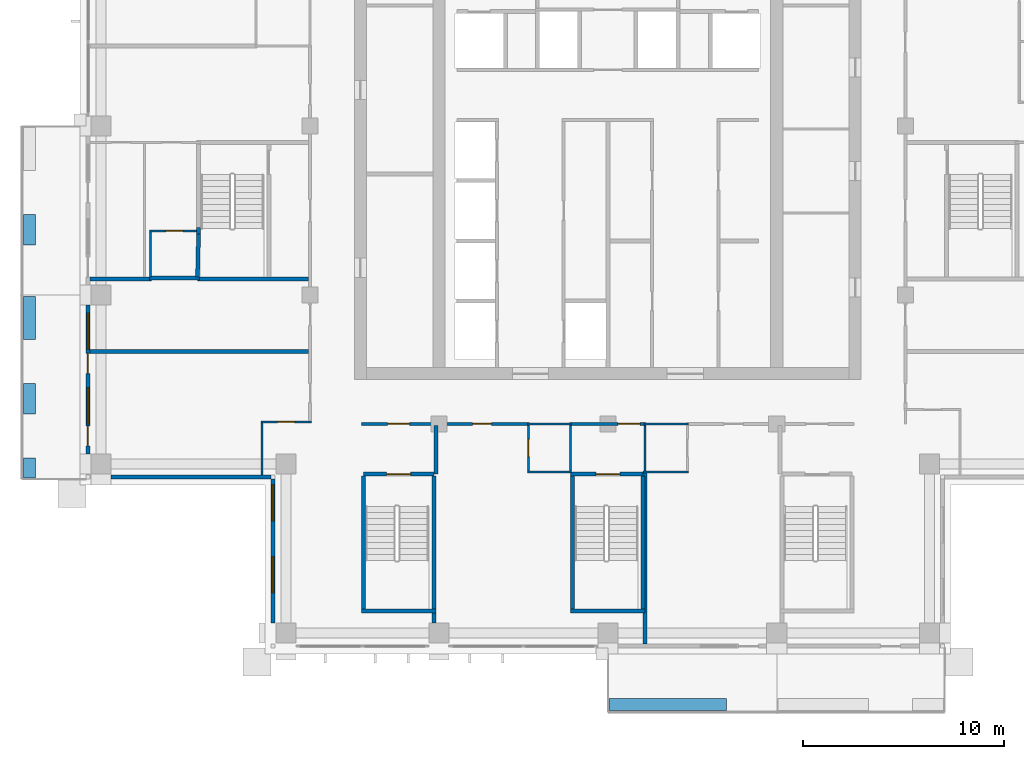
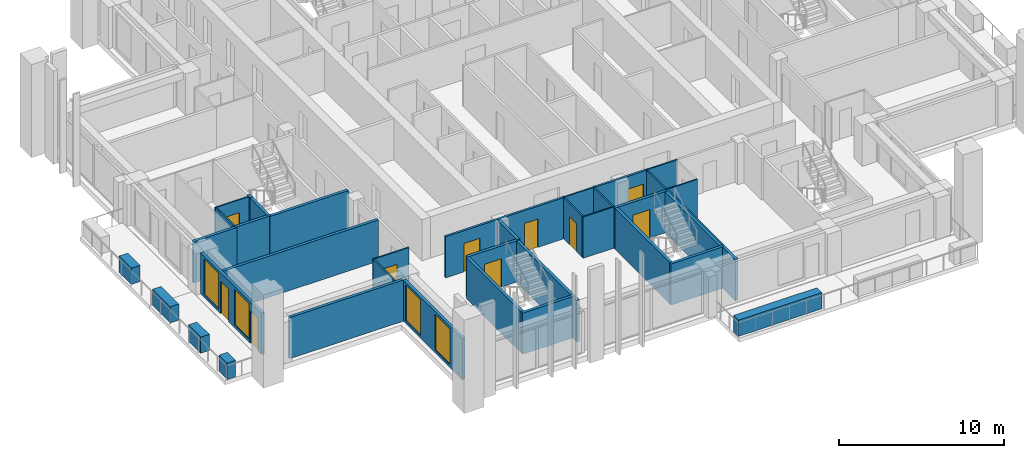
# One storey, part 8 of 18: 37 walls, 10 doors, 4 windows, 14 openings.
"""IFC4 building model written with IfcOpenShell, lengths in metres."""

from ifc_helpers import new_model, si_unit, direction, frame, frame_2d, origin, place, context, subcontext, project, spatial, rectangle, extrude, material, layer, layer_set, type_object, element, fill, save


model = new_model("IFC4")

# Units and contexts
model_context = context("Model", 3, precision=1e-05, world=origin(), true_north=direction((0.0, 1.0)))
body_context = subcontext(model_context, "Body", "Model", "MODEL_VIEW")
ifc_project = project(units=[si_unit("LENGTHUNIT", "METRE"), si_unit("AREAUNIT", "SQUARE_METRE"), si_unit("VOLUMEUNIT", "CUBIC_METRE"), si_unit("PLANEANGLEUNIT", "RADIAN"), si_unit("MASSUNIT", "GRAM", prefix="KILO")], contexts=[model_context])

# Site, building, storey
site_placement = place(None, origin())
site = spatial("IfcSite", under=ifc_project, at=site_placement, CompositionType="ELEMENT")
building_placement = place(site_placement, origin())
building = spatial("IfcBuilding", under=site, at=building_placement, Name="Vermilion Ogive Tower", CompositionType="ELEMENT")
storey_placement = place(building_placement, frame((0.0, 0.0, 199.699951171875)))
storey = spatial("IfcBuildingStorey", under=building, at=storey_placement, Name="L52", CompositionType="ELEMENT", Elevation=199.699951171875)

# Walls
ifc_material_1 = material(Name="Gypsum board partition on steel studs", Category="steel")
ifc_layer_1 = layer(ifc_material_1, 0.10009765625)
ifc_layer_set_1 = layer_set([ifc_layer_1], Name="Partition 100 bath")
wall_type_1 = type_object("IfcWallType", Name="Partition 100 bath", PredefinedType="PARTITIONING", material=ifc_layer_set_1)
wall_1_placement = place(storey_placement, frame((-4.0, -13.0, 0.0), z_axis=(0.0, 0.0, 1.0), x_axis=(1.0, 0.0, 0.0)))
element("IfcWall", 1, at=wall_1_placement, inside=storey, type_object=wall_type_1, Name="L52-W-W005", PredefinedType="PARTITIONING", context=body_context, shape_type="SweptSolid", body=[
    extrude(rectangle(XDim=2.199951171875, YDim=0.10009765625, at=frame_2d((1.10009765625, 0.0))), origin(), (0.0, 0.0, 1.0), 3.050048828125),
])
wall_2_placement = place(storey_placement, frame((1.75, -13.0, 0.0), z_axis=(0.0, 0.0, 1.0), x_axis=(1.0, 0.0, 0.0)))
element("IfcWall", 2, at=wall_2_placement, inside=storey, type_object=wall_type_1, Name="L52-W-W006", PredefinedType="PARTITIONING", context=body_context, shape_type="SweptSolid", body=[
    extrude(rectangle(XDim=2.25, YDim=0.10009765625, at=frame_2d((1.125, 0.0))), origin(), (0.0, 0.0, 1.0), 3.050048828125),
])
for number, where, z_axis, x_axis, name in (
    (3, (-4.0, -10.60009765625, 0.0), (0.0, 0.0, 1.0), (1.0, 0.0, 0.0), "L52-W-W008"),
    (4, (1.800048828125, -10.60009765625, 0.0), (0.0, 0.0, 1.0), (1.0, 0.0, 0.0), "L52-W-W010"),
):
    element("IfcWall", number, at=place(storey_placement, frame(where, z_axis=z_axis, x_axis=x_axis)), inside=storey, type_object=wall_type_1, Name=name, PredefinedType="PARTITIONING", context=body_context, shape_type="SweptSolid", body=[
        extrude(rectangle(XDim=2.199951171875, YDim=0.10009765625, at=frame_2d((1.10009765625, 0.0))), origin(), (0.0, 0.0, 1.0), 3.050048828125),
    ])

# Wall, opening, door
wall_3_placement = place(storey_placement, frame((-17.25, -10.5, 0.0), z_axis=(0.0, 0.0, 1.0), x_axis=(1.0, 0.0, 0.0)))
wall_3 = element("IfcWall", 5, at=wall_3_placement, inside=storey, type_object=wall_type_1, Name="L52-W-W012", PredefinedType="PARTITIONING", context=body_context, shape_type="SweptSolid", body=[
    extrude(rectangle(XDim=2.52490234375, YDim=0.10009765625, at=frame_2d((1.262451171875, 0.0))), origin(), (0.0, 0.0, 1.0), 3.050048828125),
])
opening_1_placement = place(wall_3_placement, frame((0.824951171875, 0.0, 0.0)))
opening_1 = element("IfcOpeningElement", 6, at=opening_1_placement, cuts=wall_3, Name="Opening D4G4002", PredefinedType="OPENING", context=body_context, shape_type="SweptSolid", body=[
    extrude(rectangle(XDim=0.85009765625, YDim=2.10009765625, at=frame_2d((0.425048828125, 1.050048828125))), frame((0.0, 0.06005859375, 0.0), z_axis=(0.0, -1.0, 0.0), x_axis=(1.0, 0.0, 0.0)), (0.0, 0.0, 1.0), 0.1201171875),
])
ifc_material_2 = material(Name="Timber door leaf", Category="wood")
door_type_1 = type_object("IfcDoorType", Name="Bath door 850 x 2100 FD30", OperationType="SINGLE_SWING_LEFT", PredefinedType="DOOR", material=ifc_material_2)
door_1_placement = place(opening_1_placement, origin())
door_1 = element("IfcDoor", 7, at=door_1_placement, inside=storey, type_object=door_type_1, Name="L52-D-D002", OperationType="SINGLE_SWING_RIGHT", OverallHeight=2.10009765625, OverallWidth=0.85009765625, PredefinedType="DOOR", context=body_context, shape_type="SweptSolid", body=[
    extrude(rectangle(XDim=0.85009765625, YDim=2.10009765625, at=frame_2d((0.425048828125, 1.050048828125))), frame((0.0, 0.02490234375, 0.0), z_axis=(0.0, -1.0, 0.0), x_axis=(1.0, 0.0, 0.0)), (0.0, 0.0, 1.0), 0.050048828125),
])
fill(opening_1, door_1)

wall_4_placement = place(storey_placement, frame((-22.800048828125, -1.0, 0.0), z_axis=(0.0, 0.0, 1.0), x_axis=(1.0, 0.0, 0.0)))
wall_4 = element("IfcWall", 8, at=wall_4_placement, inside=storey, type_object=wall_type_1, Name="L52-W-W021", PredefinedType="PARTITIONING", context=body_context, shape_type="SweptSolid", body=[
    extrude(rectangle(XDim=2.35009765625, YDim=0.10009765625, at=frame_2d((1.175048828125, 0.0))), origin(), (0.0, 0.0, 1.0), 3.050048828125),
])
opening_2_placement = place(wall_4_placement, frame((0.824951171875, 0.0, 0.0)))
opening_2 = element("IfcOpeningElement", 9, at=opening_2_placement, cuts=wall_4, Name="Opening D4G4006", PredefinedType="OPENING", context=body_context, shape_type="SweptSolid", body=[
    extrude(rectangle(XDim=0.85009765625, YDim=2.10009765625, at=frame_2d((0.425048828125, 1.050048828125))), frame((0.0, 0.06005859375, 0.0), z_axis=(0.0, -1.0, 0.0), x_axis=(1.0, 0.0, 0.0)), (0.0, 0.0, 1.0), 0.1201171875),
])
door_2_placement = place(opening_2_placement, origin())
door_2 = element("IfcDoor", 10, at=door_2_placement, inside=storey, type_object=door_type_1, Name="L52-D-D006", OperationType="SINGLE_SWING_RIGHT", OverallHeight=2.10009765625, OverallWidth=0.85009765625, PredefinedType="DOOR", context=body_context, shape_type="SweptSolid", body=[
    extrude(rectangle(XDim=0.85009765625, YDim=2.10009765625, at=frame_2d((0.425048828125, 1.050048828125))), frame((0.0, 0.02490234375, 0.0), z_axis=(0.0, -1.0, 0.0), x_axis=(1.0, 0.0, 0.0)), (0.0, 0.0, 1.0), 0.050048828125),
])
fill(opening_2, door_2)

# Walls
wall_5_placement = place(storey_placement, frame((-22.75, -3.300048828125, 0.0), z_axis=(0.0, 0.0, 1.0), x_axis=(0.0, 1.0, 0.0)))
element("IfcWall", 11, at=wall_5_placement, inside=storey, type_object=wall_type_1, Name="L52-W-W037", PredefinedType="PARTITIONING", context=body_context, shape_type="SweptSolid", body=[
    extrude(rectangle(XDim=2.25, YDim=0.10009765625, at=frame_2d((1.125, 0.0))), origin(), (0.0, 0.0, 1.0), 3.050048828125),
])
wall_6_placement = place(storey_placement, frame((-17.199951171875, -13.14990234375, 0.0), z_axis=(0.0, 0.0, 1.0), x_axis=(0.0, 1.0, 0.0)))
element("IfcWall", 12, at=wall_6_placement, inside=storey, type_object=wall_type_1, Name="L52-W-W041", PredefinedType="PARTITIONING", context=body_context, shape_type="SweptSolid", body=[
    extrude(rectangle(XDim=2.599853515625, YDim=0.10009765625, at=frame_2d((1.2998046875, 0.0))), origin(), (0.0, 0.0, 1.0), 3.050048828125),
])

# Wall, opening, door
wall_7_placement = place(storey_placement, frame((-3.949951171875, -12.949951171875, 0.0), z_axis=(0.0, 0.0, 1.0), x_axis=(0.0, 1.0, 0.0)))
wall_7 = element("IfcWall", 13, at=wall_7_placement, inside=storey, type_object=wall_type_1, Name="L52-W-W047", PredefinedType="PARTITIONING", context=body_context, shape_type="SweptSolid", body=[
    extrude(rectangle(XDim=2.27490234375, YDim=0.10009765625, at=frame_2d((1.137451171875, 0.0))), origin(), (0.0, 0.0, 1.0), 3.050048828125),
])
opening_3_placement = place(wall_7_placement, frame((0.724853515625, 0.0, 0.0)))
opening_3 = element("IfcOpeningElement", 14, at=opening_3_placement, cuts=wall_7, Name="Opening D4G4012", PredefinedType="OPENING", context=body_context, shape_type="SweptSolid", body=[
    extrude(rectangle(XDim=0.85009765625, YDim=2.10009765625, at=frame_2d((0.425048828125, 1.050048828125))), frame((0.0, 0.06005859375, 0.0), z_axis=(0.0, -1.0, 0.0), x_axis=(1.0, 0.0, 0.0)), (0.0, 0.0, 1.0), 0.1201171875),
])
door_3_placement = place(opening_3_placement, origin())
door_3 = element("IfcDoor", 15, at=door_3_placement, inside=storey, type_object=door_type_1, Name="L52-D-D012", OperationType="SINGLE_SWING_RIGHT", OverallHeight=2.10009765625, OverallWidth=0.85009765625, PredefinedType="DOOR", context=body_context, shape_type="SweptSolid", body=[
    extrude(rectangle(XDim=0.85009765625, YDim=2.10009765625, at=frame_2d((0.425048828125, 1.050048828125))), frame((0.0, 0.02490234375, 0.0), z_axis=(0.0, -1.0, 0.0), x_axis=(1.0, 0.0, 0.0)), (0.0, 0.0, 1.0), 0.050048828125),
])
fill(opening_3, door_3)

# Walls
for number, where, z_axis, x_axis, name in (
    (16, (-1.85009765625, -12.949951171875, 0.0), (0.0, 0.0, 1.0), (0.0, 1.0, 0.0), "L52-W-W048"),
    (17, (1.85009765625, -12.949951171875, 0.0), (0.0, 0.0, 1.0), (0.0, 1.0, 0.0), "L52-W-W052"),
):
    element("IfcWall", number, at=place(storey_placement, frame(where, z_axis=z_axis, x_axis=x_axis)), inside=storey, type_object=wall_type_1, Name=name, PredefinedType="PARTITIONING", context=body_context, shape_type="SweptSolid", body=[
        extrude(rectangle(XDim=2.27490234375, YDim=0.10009765625, at=frame_2d((1.137451171875, 0.0))), origin(), (0.0, 0.0, 1.0), 3.050048828125),
    ])

# Wall, openings, doors
ifc_material_3 = material(Name="Gypsum board partition on steel studs", Category="steel")
ifc_layer_2 = layer(ifc_material_3, 0.14990234375)
ifc_layer_set_2 = layer_set([ifc_layer_2], Name="Partition 150 corridor")
wall_type_2 = type_object("IfcWallType", Name="Partition 150 corridor", PredefinedType="PARTITIONING", material=ifc_layer_set_2)
wall_8_placement = place(storey_placement, frame((-12.25, -10.60009765625, 0.0), z_axis=(0.0, 0.0, 1.0), x_axis=(1.0, 0.0, 0.0)))
wall_8 = element("IfcWall", 18, at=wall_8_placement, inside=storey, type_object=wall_type_2, Name="L52-W-W007", PredefinedType="PARTITIONING", context=body_context, shape_type="SweptSolid", body=[
    extrude(rectangle(XDim=8.35009765625, YDim=0.14990234375, at=frame_2d((4.175048828125, 0.0))), origin(), (0.0, 0.0, 1.0), 3.050048828125),
])
opening_4_placement = place(wall_8_placement, frame((5.52490234375, 0.0, 0.0)))
opening_4 = element("IfcOpeningElement", 19, at=opening_4_placement, cuts=wall_8, Name="Opening D4G4011", PredefinedType="OPENING", context=body_context, shape_type="SweptSolid", body=[
    extrude(rectangle(XDim=0.949951171875, YDim=2.10009765625, at=frame_2d((0.47509765625, 1.050048828125))), frame((0.0, 0.0849609375, 0.0), z_axis=(0.0, -1.0, 0.0), x_axis=(1.0, 0.0, 0.0)), (0.0, 0.0, 1.0), 0.169921875),
])
opening_5_placement = place(wall_8_placement, frame((1.300048828125, 0.0, 0.0)))
opening_5 = element("IfcOpeningElement", 20, at=opening_5_placement, cuts=wall_8, Name="Opening D4G4025", PredefinedType="OPENING", context=body_context, shape_type="SweptSolid", body=[
    extrude(rectangle(XDim=1.10009765625, YDim=2.10009765625, at=frame_2d((0.550048828125, 1.050048828125))), frame((0.0, 0.0849609375, 0.0), z_axis=(0.0, -1.0, 0.0), x_axis=(1.0, 0.0, 0.0)), (0.0, 0.0, 1.0), 0.169921875),
])
ifc_material_4 = material(Name="Timber door leaf", Category="wood")
door_type_2 = type_object("IfcDoorType", Name="Stair door 1100 x 2100 FD60S", OperationType="SINGLE_SWING_LEFT", PredefinedType="DOOR", material=ifc_material_4)
door_4_placement = place(opening_5_placement, origin())
door_4 = element("IfcDoor", 21, at=door_4_placement, inside=storey, type_object=door_type_2, Name="L52-D-D025", OperationType="SINGLE_SWING_RIGHT", OverallHeight=2.10009765625, OverallWidth=1.10009765625, PredefinedType="DOOR", context=body_context, shape_type="SweptSolid", body=[
    extrude(rectangle(XDim=1.10009765625, YDim=2.10009765625, at=frame_2d((0.550048828125, 1.050048828125))), frame((0.0, 0.02490234375, 0.0), z_axis=(0.0, -1.0, 0.0), x_axis=(1.0, 0.0, 0.0)), (0.0, 0.0, 1.0), 0.050048828125),
])
fill(opening_5, door_4)
ifc_material_5 = material(Name="Timber door leaf", Category="wood")
door_type_3 = type_object("IfcDoorType", Name="Unit door 950 x 2100 FD30S", OperationType="SINGLE_SWING_LEFT", PredefinedType="DOOR", material=ifc_material_5)
door_5_placement = place(opening_4_placement, origin())
door_5 = element("IfcDoor", 22, at=door_5_placement, inside=storey, type_object=door_type_3, Name="L52-D-D011", OperationType="SINGLE_SWING_LEFT", OverallHeight=2.10009765625, OverallWidth=0.949951171875, PredefinedType="DOOR", context=body_context, shape_type="SweptSolid", body=[
    extrude(rectangle(XDim=0.949951171875, YDim=2.10009765625, at=frame_2d((0.47509765625, 1.050048828125))), frame((0.0, 0.02490234375, 0.0), z_axis=(0.0, -1.0, 0.0), x_axis=(1.0, 0.0, 0.0)), (0.0, 0.0, 1.0), 0.050048828125),
])
fill(opening_4, door_5)

# Wall, opening, door
wall_9_placement = place(storey_placement, frame((-1.89990234375, -10.60009765625, 0.0), z_axis=(0.0, 0.0, 1.0), x_axis=(1.0, 0.0, 0.0)))
wall_9 = element("IfcWall", 23, at=wall_9_placement, inside=storey, type_object=wall_type_2, Name="L52-W-W009", PredefinedType="PARTITIONING", context=body_context, shape_type="SweptSolid", body=[
    extrude(rectangle(XDim=3.7998046875, YDim=0.14990234375, at=frame_2d((1.89990234375, 0.0))), origin(), (0.0, 0.0, 1.0), 3.050048828125),
])
opening_6_placement = place(wall_9_placement, frame((2.39990234375, 0.0, 0.0)))
opening_6 = element("IfcOpeningElement", 24, at=opening_6_placement, cuts=wall_9, Name="Opening D4G4027", PredefinedType="OPENING", context=body_context, shape_type="SweptSolid", body=[
    extrude(rectangle(XDim=1.10009765625, YDim=2.10009765625, at=frame_2d((0.550048828125, 1.050048828125))), frame((0.0, 0.0849609375, 0.0), z_axis=(0.0, -1.0, 0.0), x_axis=(1.0, 0.0, 0.0)), (0.0, 0.0, 1.0), 0.169921875),
])
door_6_placement = place(opening_6_placement, origin())
door_6 = element("IfcDoor", 25, at=door_6_placement, inside=storey, type_object=door_type_2, Name="L52-D-D027", OperationType="SINGLE_SWING_LEFT", OverallHeight=2.10009765625, OverallWidth=1.10009765625, PredefinedType="DOOR", context=body_context, shape_type="SweptSolid", body=[
    extrude(rectangle(XDim=1.10009765625, YDim=2.10009765625, at=frame_2d((0.550048828125, 1.050048828125))), frame((0.0, 0.02490234375, 0.0), z_axis=(0.0, -1.0, 0.0), x_axis=(1.0, 0.0, 0.0)), (0.0, 0.0, 1.0), 0.050048828125),
])
fill(opening_6, door_6)

# Walls
ifc_material_6 = material(Name="Gypsum board partition on steel studs", Category="steel")
ifc_layer_3 = layer(ifc_material_6, 0.199951171875)
ifc_layer_set_3 = layer_set([ifc_layer_3], Name="Partition 200 party")
wall_type_3 = type_object("IfcWallType", Name="Partition 200 party", PredefinedType="PARTITIONING", material=ifc_layer_set_3)
wall_10_placement = place(storey_placement, frame((-25.75, -7.0, 0.0), z_axis=(0.0, 0.0, 1.0), x_axis=(1.0, 0.0, 0.0)))
element("IfcWall", 26, at=wall_10_placement, inside=storey, type_object=wall_type_3, Name="L52-W-W014", PredefinedType="PARTITIONING", context=body_context, shape_type="SweptSolid", body=[
    extrude(rectangle(XDim=10.875, YDim=0.199951171875, at=frame_2d((5.4375, 0.0))), origin(), (0.0, 0.0, 1.0), 3.050048828125),
])
wall_11_placement = place(storey_placement, frame((-25.75, -3.39990234375, 0.0), z_axis=(0.0, 0.0, 1.0), x_axis=(1.0, 0.0, 0.0)))
element("IfcWall", 27, at=wall_11_placement, inside=storey, type_object=wall_type_3, Name="L52-W-W016", PredefinedType="PARTITIONING", context=body_context, shape_type="SweptSolid", body=[
    extrude(rectangle(XDim=3.050048828125, YDim=0.199951171875, at=frame_2d((1.52490234375, 0.0))), origin(), (0.0, 0.0, 1.0), 3.050048828125),
])
wall_12_placement = place(storey_placement, frame((-8.550048828125, -13.10009765625, 0.0), z_axis=(0.0, 0.0, 1.0), x_axis=(0.0, 1.0, 0.0)))
element("IfcWall", 28, at=wall_12_placement, inside=storey, type_object=wall_type_3, Name="L52-W-W046", PredefinedType="PARTITIONING", context=body_context, shape_type="SweptSolid", body=[
    extrude(rectangle(XDim=2.425048828125, YDim=0.199951171875, at=frame_2d((1.21240234375, 0.0))), origin(), (0.0, 0.0, 1.0), 3.050048828125),
])
ifc_material_7 = material(Name="Concrete B60", Category="concrete")
ifc_layer_4 = layer(ifc_material_7, 0.199951171875)
ifc_layer_set_4 = layer_set([ifc_layer_4], Name="Stair shaft wall 200 Concrete B60")
wall_type_4 = type_object("IfcWallType", Name="Stair shaft wall 200 Concrete B60", PredefinedType="SOLIDWALL", material=ifc_layer_set_4)
wall_13_placement = place(storey_placement, frame((-1.847900390625, -19.89990234375, 0.0), z_axis=(0.0, 0.0, 1.0), x_axis=(1.0, 0.0, 0.0)))
element("IfcWall", 29, at=wall_13_placement, inside=storey, type_object=wall_type_4, Name="L52-W-W001", PredefinedType="SOLIDWALL", context=body_context, shape_type="SweptSolid", body=[
    extrude(rectangle(XDim=3.69580078125, YDim=0.199951171875, at=frame_2d((1.847900390625, 0.0))), origin(), (0.0, 0.0, 1.0), 3.050048828125),
])

# Wall, opening, door
wall_14_placement = place(storey_placement, frame((-12.14990234375, -13.10009765625, 0.0), z_axis=(0.0, 0.0, 1.0), x_axis=(1.0, 0.0, 0.0)))
wall_14 = element("IfcWall", 30, at=wall_14_placement, inside=storey, type_object=wall_type_4, Name="L52-W-W002", PredefinedType="SOLIDWALL", context=body_context, shape_type="SweptSolid", body=[
    extrude(rectangle(XDim=3.5, YDim=0.199951171875, at=frame_2d((1.75, 0.0))), origin(), (0.0, 0.0, 1.0), 3.050048828125),
])
opening_7_placement = place(wall_14_placement, frame((1.14990234375, 0.0, 0.0)))
opening_7 = element("IfcOpeningElement", 31, at=opening_7_placement, cuts=wall_14, Name="Opening D4G4026", PredefinedType="OPENING", context=body_context, shape_type="SweptSolid", body=[
    extrude(rectangle(XDim=1.199951171875, YDim=2.10009765625, at=frame_2d((0.60009765625, 1.050048828125))), frame((0.0, 0.10986328125, 0.0), z_axis=(0.0, -1.0, 0.0), x_axis=(1.0, 0.0, 0.0)), (0.0, 0.0, 1.0), 0.219970703125),
])
ifc_material_8 = material(Name="Timber door leaf", Category="wood")
door_type_4 = type_object("IfcDoorType", Name="Stair door 1200 x 2100 FD60S", OperationType="SINGLE_SWING_LEFT", PredefinedType="DOOR", material=ifc_material_8)
door_7_placement = place(opening_7_placement, origin())
door_7 = element("IfcDoor", 32, at=door_7_placement, inside=storey, type_object=door_type_4, Name="L52-D-D026", OperationType="SINGLE_SWING_RIGHT", OverallHeight=2.10009765625, OverallWidth=1.199951171875, PredefinedType="DOOR", context=body_context, shape_type="SweptSolid", body=[
    extrude(rectangle(XDim=1.199951171875, YDim=2.10009765625, at=frame_2d((0.60009765625, 1.050048828125))), frame((0.0, 0.02490234375, 0.0), z_axis=(0.0, -1.0, 0.0), x_axis=(1.0, 0.0, 0.0)), (0.0, 0.0, 1.0), 0.050048828125),
])
fill(opening_7, door_7)

wall_15_placement = place(storey_placement, frame((-1.847900390625, -13.10009765625, 0.0), z_axis=(0.0, 0.0, 1.0), x_axis=(1.0, 0.0, 0.0)))
wall_15 = element("IfcWall", 33, at=wall_15_placement, inside=storey, type_object=wall_type_4, Name="L52-W-W003", PredefinedType="SOLIDWALL", context=body_context, shape_type="SweptSolid", body=[
    extrude(rectangle(XDim=3.595947265625, YDim=0.199951171875, at=frame_2d((1.7978515625, 0.0))), origin(), (0.0, 0.0, 1.0), 3.050048828125),
])
opening_8_placement = place(wall_15_placement, frame((1.247802734375, 0.0, 0.0)))
opening_8 = element("IfcOpeningElement", 34, at=opening_8_placement, cuts=wall_15, Name="Opening D4G4028", PredefinedType="OPENING", context=body_context, shape_type="SweptSolid", body=[
    extrude(rectangle(XDim=1.199951171875, YDim=2.10009765625, at=frame_2d((0.60009765625, 1.050048828125))), frame((0.0, 0.10986328125, 0.0), z_axis=(0.0, -1.0, 0.0), x_axis=(1.0, 0.0, 0.0)), (0.0, 0.0, 1.0), 0.219970703125),
])
door_8_placement = place(opening_8_placement, origin())
door_8 = element("IfcDoor", 35, at=door_8_placement, inside=storey, type_object=door_type_4, Name="L52-D-D028", OperationType="SINGLE_SWING_RIGHT", OverallHeight=2.10009765625, OverallWidth=1.199951171875, PredefinedType="DOOR", context=body_context, shape_type="SweptSolid", body=[
    extrude(rectangle(XDim=1.199951171875, YDim=2.10009765625, at=frame_2d((0.60009765625, 1.050048828125))), frame((0.0, 0.02490234375, 0.0), z_axis=(0.0, -1.0, 0.0), x_axis=(1.0, 0.0, 0.0)), (0.0, 0.0, 1.0), 0.050048828125),
])
fill(opening_8, door_8)

# Walls
wall_16_placement = place(storey_placement, frame((-22.800048828125, -3.349853515625, 0.0), z_axis=(0.0, 0.0, 1.0), x_axis=(1.0, 0.0, 0.0)))
element("IfcWall", 36, at=wall_16_placement, inside=storey, type_object=wall_type_4, Name="L52-W-W017", PredefinedType="SOLIDWALL", context=body_context, shape_type="SweptSolid", body=[
    extrude(rectangle(XDim=2.5, YDim=0.199951171875, at=frame_2d((1.25, 0.0))), origin(), (0.0, 0.0, 1.0), 3.050048828125),
])
wall_17_placement = place(storey_placement, frame((-20.39990234375, -3.39990234375, 0.0), z_axis=(0.0, 0.0, 1.0), x_axis=(1.0, 0.0, 0.0)))
element("IfcWall", 37, at=wall_17_placement, inside=storey, type_object=wall_type_4, Name="L52-W-W018", PredefinedType="SOLIDWALL", context=body_context, shape_type="SweptSolid", body=[
    extrude(rectangle(XDim=5.52490234375, YDim=0.199951171875, at=frame_2d((2.762451171875, 0.0))), origin(), (0.0, 0.0, 1.0), 3.050048828125),
])
wall_18_placement = place(storey_placement, frame((-20.400146484375, -3.300048828125, 0.0), z_axis=(0.0, 0.0, 1.0), x_axis=(0.022687568549, 0.99974260399, 0.0)))
element("IfcWall", 38, at=wall_18_placement, inside=storey, type_object=wall_type_4, Name="L52-W-W038", PredefinedType="SOLIDWALL", context=body_context, shape_type="SweptSolid", body=[
    extrude(rectangle(XDim=2.130615234375, YDim=0.199951171875, at=frame_2d((1.0654296875, 0.0))), origin(), (0.0, 0.0, 1.0), 3.050048828125),
])
for number, where, z_axis, x_axis, name in (
    (39, (-1.75, -19.798095703125, 0.0), (0.0, 0.0, 1.0), (0.0, 1.0, 0.0), "L52-W-W049"),
    (40, (1.75, -19.798095703125, 0.0), (0.0, 0.0, 1.0), (0.0, 1.0, 0.0), "L52-W-W050"),
):
    element("IfcWall", number, at=place(storey_placement, frame(where, z_axis=z_axis, x_axis=x_axis)), inside=storey, type_object=wall_type_4, Name=name, PredefinedType="SOLIDWALL", context=body_context, shape_type="SweptSolid", body=[
        extrude(rectangle(XDim=6.59619140625, YDim=0.199951171875, at=frame_2d((3.298095703125, 0.0))), origin(), (0.0, 0.0, 1.0), 3.050048828125),
    ])
wall_19_placement = place(storey_placement, frame((-12.25, -19.89990234375, 0.0), z_axis=(0.0, 0.0, 1.0), x_axis=(1.0, 0.0, 0.0)))
element("IfcWall", 41, at=wall_19_placement, inside=storey, type_object=wall_type_4, Name="L52-SW-ST3-S1", PredefinedType="SOLIDWALL", context=body_context, shape_type="SweptSolid", body=[
    extrude(rectangle(XDim=3.699951171875, YDim=0.199951171875, at=frame_2d((1.85009765625, 0.0))), origin(), (0.0, 0.0, 1.0), 3.050048828125),
])
wall_20_placement = place(storey_placement, frame((-12.14990234375, -19.800048828125, 0.0), z_axis=(0.0, 0.0, 1.0), x_axis=(0.0, 1.0, 0.0)))
element("IfcWall", 42, at=wall_20_placement, inside=storey, type_object=wall_type_4, Name="L52-SW-ST3-W1", PredefinedType="SOLIDWALL", context=body_context, shape_type="SweptSolid", body=[
    extrude(rectangle(XDim=6.60009765625, YDim=0.199951171875, at=frame_2d((3.300048828125, 0.0))), origin(), (0.0, 0.0, 1.0), 3.050048828125),
])
wall_21_placement = place(storey_placement, frame((-8.64990234375, -20.5, 0.0), z_axis=(0.0, 0.0, 1.0), x_axis=(0.0, 1.0, 0.0)))
element("IfcWall", 43, at=wall_21_placement, inside=storey, type_object=wall_type_4, Name="L52-SW-ST3-E1", PredefinedType="SOLIDWALL", context=body_context, shape_type="SweptSolid", body=[
    extrude(rectangle(XDim=7.300048828125, YDim=0.199951171875, at=frame_2d((3.64990234375, 0.0))), origin(), (0.0, 0.0, 1.0), 3.050048828125),
])
wall_22_placement = place(storey_placement, frame((-20.35009765625, -1.169921875, 0.0), z_axis=(0.0, 0.0, 1.0), x_axis=(0.0, 1.0, 0.0)))
element("IfcWall", 44, at=wall_22_placement, inside=storey, type_object=wall_type_4, Name="L52-SW-ST9-W1", PredefinedType="SOLIDWALL", context=body_context, shape_type="SweptSolid", body=[
    extrude(rectangle(XDim=0.33984375, YDim=0.199951171875, at=frame_2d((0.169921875, 0.0))), origin(), (0.0, 0.0, 1.0), 3.050048828125),
])
wall_23_placement = place(storey_placement, frame((1.85009765625, -21.550048828125, 0.0), z_axis=(0.0, 0.0, 1.0), x_axis=(0.0, 1.0, 0.0)))
element("IfcWall", 45, at=wall_23_placement, inside=storey, type_object=wall_type_4, Name="L52-W-W051-A", PredefinedType="SOLIDWALL", context=body_context, shape_type="SweptSolid", body=[
    extrude(rectangle(XDim=8.5, YDim=0.199951171875, at=frame_2d((4.25, 0.0))), origin(), (0.0, 0.0, 1.0), 3.050048828125),
])
ifc_material_9 = material(Name="Concrete B40", Category="concrete")
ifc_layer_5 = layer(ifc_material_9, 0.60009765625)
ifc_layer_set_5 = layer_set([ifc_layer_5], Name="Structural planter")
wall_type_5 = type_object("IfcWallType", Name="Structural planter", PredefinedType="USERDEFINED", material=ifc_layer_set_5)
wall_24_placement = place(storey_placement, frame((0.06005859375, -24.550048828125, -0.0400390625), z_axis=(0.0, 0.0, 1.0), x_axis=(1.0, 0.0, 0.0)))
element("IfcWall", 46, at=wall_24_placement, inside=storey, type_object=wall_type_5, Name="Planter S03A1", ObjectType="PLANTER", PredefinedType="USERDEFINED", context=body_context, shape_type="SweptSolid", body=[
    extrude(rectangle(XDim=5.83984375, YDim=0.60009765625, at=frame_2d((2.919921875, 0.0))), origin(), (0.0, 0.0, 1.0), 1.2001953125),
])
wall_25_placement = place(storey_placement, frame((-28.75, -0.199951171875, -0.0400390625), z_axis=(0.0, 0.0, 1.0), x_axis=(0.0, -1.0, 0.0)))
element("IfcWall", 47, at=wall_25_placement, inside=storey, type_object=wall_type_5, Name="Planter W02A2", ObjectType="PLANTER", PredefinedType="USERDEFINED", context=body_context, shape_type="SweptSolid", body=[
    extrude(rectangle(XDim=1.5, YDim=0.60009765625, at=frame_2d((0.75, 0.0))), origin(), (0.0, 0.0, 1.0), 1.2001953125),
])
wall_26_placement = place(storey_placement, frame((-28.75, -4.260009765625, -0.0400390625), z_axis=(0.0, 0.0, 1.0), x_axis=(0.0, -1.0, 0.0)))
element("IfcWall", 48, at=wall_26_placement, inside=storey, type_object=wall_type_5, Name="Planter W03A1", ObjectType="PLANTER", PredefinedType="USERDEFINED", context=body_context, shape_type="SweptSolid", body=[
    extrude(rectangle(XDim=2.139892578125, YDim=0.60009765625, at=frame_2d((1.06982421875, 0.0))), origin(), (0.0, 0.0, 1.0), 1.2001953125),
])
wall_27_placement = place(storey_placement, frame((-28.75, -8.60009765625, -0.0400390625), z_axis=(0.0, 0.0, 1.0), x_axis=(0.0, -1.0, 0.0)))
element("IfcWall", 49, at=wall_27_placement, inside=storey, type_object=wall_type_5, Name="Planter W03A2", ObjectType="PLANTER", PredefinedType="USERDEFINED", context=body_context, shape_type="SweptSolid", body=[
    extrude(rectangle(XDim=1.5, YDim=0.60009765625, at=frame_2d((0.75, 0.0))), origin(), (0.0, 0.0, 1.0), 1.2001953125),
])
wall_28_placement = place(storey_placement, frame((-28.75, -12.300048828125, -0.0400390625), z_axis=(0.0, 0.0, 1.0), x_axis=(0.0, -1.0, 0.0)))
element("IfcWall", 50, at=wall_28_placement, inside=storey, type_object=wall_type_5, Name="Planter W03A3", ObjectType="PLANTER", PredefinedType="USERDEFINED", context=body_context, shape_type="SweptSolid", body=[
    extrude(rectangle(XDim=0.989990234375, YDim=0.60009765625, at=frame_2d((0.4951171875, 0.0))), origin(), (0.0, 0.0, 1.0), 1.2001953125),
])

# Wall, openings, doors, windows
ifc_material_10 = material(Name="Aluminium window wall framing", Category="aluminium")
ifc_layer_6 = layer(ifc_material_10, 0.199951171875)
ifc_layer_set_6 = layer_set([ifc_layer_6], Name="Window wall")
wall_type_6 = type_object("IfcWallType", Name="Window wall", PredefinedType="STANDARD", material=ifc_layer_set_6)
wall_29_placement = place(storey_placement, frame((-25.85009765625, -4.699951171875, 0.0), z_axis=(0.0, 0.0, 1.0), x_axis=(0.0, -1.0, 0.0)))
wall_29 = element("IfcWall", 51, at=wall_29_placement, inside=storey, type_object=wall_type_6, Name="Window wall W3", PredefinedType="STANDARD", context=body_context, shape_type="SweptSolid", body=[
    extrude(rectangle(XDim=7.400146484375, YDim=0.199951171875, at=frame_2d((3.7001953125, 0.0))), origin(), (0.0, 0.0, 1.0), 3.050048828125),
])
opening_9_placement = place(wall_29_placement, frame((4.10009765625, 0.0, 0.199951171875)))
opening_9 = element("IfcOpeningElement", 52, at=opening_9_placement, cuts=wall_29, Name="Opening W1-W97", PredefinedType="OPENING", context=body_context, shape_type="SweptSolid", body=[
    extrude(rectangle(XDim=1.800048828125, YDim=2.64990234375, at=frame_2d((0.89990234375, 1.324951171875))), frame((0.0, 0.10986328125, 0.0), z_axis=(0.0, -1.0, 0.0), x_axis=(1.0, 0.0, 0.0)), (0.0, 0.0, 1.0), 0.219970703125),
])
opening_10_placement = place(wall_29_placement, frame((6.0, 0.0, 0.0)))
opening_10 = element("IfcOpeningElement", 53, at=opening_10_placement, cuts=wall_29, Name="Opening D1-W97", PredefinedType="OPENING", context=body_context, shape_type="SweptSolid", body=[
    extrude(rectangle(XDim=1.0, YDim=2.39990234375, at=frame_2d((0.5, 1.199951171875))), frame((0.0, 0.10986328125, 0.0), z_axis=(0.0, -1.0, 0.0), x_axis=(1.0, 0.0, 0.0)), (0.0, 0.0, 1.0), 0.219970703125),
])
opening_11_placement = place(wall_29_placement, frame((0.39990234375, 0.0, 0.199951171875)))
opening_11 = element("IfcOpeningElement", 54, at=opening_11_placement, cuts=wall_29, Name="Opening W1-W98", PredefinedType="OPENING", context=body_context, shape_type="SweptSolid", body=[
    extrude(rectangle(XDim=1.800048828125, YDim=2.64990234375, at=frame_2d((0.89990234375, 1.324951171875))), frame((0.0, 0.10986328125, 0.0), z_axis=(0.0, -1.0, 0.0), x_axis=(1.0, 0.0, 0.0)), (0.0, 0.0, 1.0), 0.219970703125),
])
opening_12_placement = place(wall_29_placement, frame((2.39990234375, 0.0, 0.0)))
opening_12 = element("IfcOpeningElement", 55, at=opening_12_placement, cuts=wall_29, Name="Opening D1-W98", PredefinedType="OPENING", context=body_context, shape_type="SweptSolid", body=[
    extrude(rectangle(XDim=1.0, YDim=2.39990234375, at=frame_2d((0.5, 1.199951171875))), frame((0.0, 0.10986328125, 0.0), z_axis=(0.0, -1.0, 0.0), x_axis=(1.0, 0.0, 0.0)), (0.0, 0.0, 1.0), 0.219970703125),
])
ifc_material_11 = material(Name="Aluminium framed glazed door", Category="aluminium")
door_type_5 = type_object("IfcDoorType", Name="Balcony door D1", OperationType="SINGLE_SWING_LEFT", PredefinedType="DOOR", material=ifc_material_11)
door_9_placement = place(opening_10_placement, origin())
door_9 = element("IfcDoor", 56, at=door_9_placement, inside=storey, type_object=door_type_5, Name="Balcony door W97", OperationType="SINGLE_SWING_LEFT", OverallHeight=2.39990234375, OverallWidth=1.0, PredefinedType="DOOR", context=body_context, shape_type="SweptSolid", body=[
    extrude(rectangle(XDim=1.0, YDim=2.39990234375, at=frame_2d((0.5, 1.199951171875))), frame((0.0, 0.02490234375, 0.0), z_axis=(0.0, -1.0, 0.0), x_axis=(1.0, 0.0, 0.0)), (0.0, 0.0, 1.0), 0.050048828125),
])
fill(opening_10, door_9)
door_10_placement = place(opening_12_placement, origin())
door_10 = element("IfcDoor", 57, at=door_10_placement, inside=storey, type_object=door_type_5, Name="Balcony door W98", OperationType="SINGLE_SWING_LEFT", OverallHeight=2.39990234375, OverallWidth=1.0, PredefinedType="DOOR", context=body_context, shape_type="SweptSolid", body=[
    extrude(rectangle(XDim=1.0, YDim=2.39990234375, at=frame_2d((0.5, 1.199951171875))), frame((0.0, 0.02490234375, 0.0), z_axis=(0.0, -1.0, 0.0), x_axis=(1.0, 0.0, 0.0)), (0.0, 0.0, 1.0), 0.050048828125),
])
fill(opening_12, door_10)
ifc_material_12 = material(Name="Aluminium framed double glazing", Category="aluminium")
window_type = type_object("IfcWindowType", Name="Guest window W1", PartitioningType="SINGLE_PANEL", PredefinedType="WINDOW", material=ifc_material_12)
window_1_placement = place(opening_9_placement, origin())
window_1 = element("IfcWindow", 58, at=window_1_placement, inside=storey, type_object=window_type, Name="Window W97", OverallHeight=2.64990234375, OverallWidth=1.800048828125, PartitioningType="SINGLE_PANEL", PredefinedType="WINDOW", context=body_context, shape_type="SweptSolid", body=[
    extrude(rectangle(XDim=1.800048828125, YDim=2.64990234375, at=frame_2d((0.89990234375, 1.324951171875))), frame((0.0, 0.030029296875, 0.0), z_axis=(0.0, -1.0, 0.0), x_axis=(1.0, 0.0, 0.0)), (0.0, 0.0, 1.0), 0.06005859375),
])
fill(opening_9, window_1)
window_2_placement = place(opening_11_placement, origin())
window_2 = element("IfcWindow", 59, at=window_2_placement, inside=storey, type_object=window_type, Name="Window W98", OverallHeight=2.64990234375, OverallWidth=1.800048828125, PartitioningType="SINGLE_PANEL", PredefinedType="WINDOW", context=body_context, shape_type="SweptSolid", body=[
    extrude(rectangle(XDim=1.800048828125, YDim=2.64990234375, at=frame_2d((0.89990234375, 1.324951171875))), frame((0.0, 0.030029296875, 0.0), z_axis=(0.0, -1.0, 0.0), x_axis=(1.0, 0.0, 0.0)), (0.0, 0.0, 1.0), 0.06005859375),
])
fill(opening_11, window_2)

# Wall
wall_30_placement = place(storey_placement, frame((-24.699951171875, -13.25, 0.0), z_axis=(0.0, 0.0, 1.0), x_axis=(1.0, 0.0, 0.0)))
element("IfcWall", 60, at=wall_30_placement, inside=storey, type_object=wall_type_6, Name="Window wall X71", PredefinedType="STANDARD", context=body_context, shape_type="SweptSolid", body=[
    extrude(rectangle(XDim=7.949951171875, YDim=0.199951171875, at=frame_2d((3.97509765625, 0.0))), origin(), (0.0, 0.0, 1.0), 3.050048828125),
])

# Wall, openings, windows
wall_31_placement = place(storey_placement, frame((-16.64990234375, -13.35009765625, 0.0), z_axis=(0.0, 0.0, 1.0), x_axis=(0.0, -1.0, 0.0)))
wall_31 = element("IfcWall", 61, at=wall_31_placement, inside=storey, type_object=wall_type_6, Name="Window wall X81", PredefinedType="STANDARD", context=body_context, shape_type="SweptSolid", body=[
    extrude(rectangle(XDim=7.14990234375, YDim=0.199951171875, at=frame_2d((3.574951171875, 0.0))), origin(), (0.0, 0.0, 1.0), 3.050048828125),
])
opening_13_placement = place(wall_31_placement, frame((3.85009765625, 0.0, 0.199951171875)))
opening_13 = element("IfcOpeningElement", 62, at=opening_13_placement, cuts=wall_31, Name="Opening W1-X895", PredefinedType="OPENING", context=body_context, shape_type="SweptSolid", body=[
    extrude(rectangle(XDim=1.800048828125, YDim=2.64990234375, at=frame_2d((0.89990234375, 1.324951171875))), frame((0.0, 0.10986328125, 0.0), z_axis=(0.0, -1.0, 0.0), x_axis=(1.0, 0.0, 0.0)), (0.0, 0.0, 1.0), 0.219970703125),
])
opening_14_placement = place(wall_31_placement, frame((0.27490234375, 0.0, 0.199951171875)))
opening_14 = element("IfcOpeningElement", 63, at=opening_14_placement, cuts=wall_31, Name="Opening W1-X896", PredefinedType="OPENING", context=body_context, shape_type="SweptSolid", body=[
    extrude(rectangle(XDim=1.800048828125, YDim=2.64990234375, at=frame_2d((0.89990234375, 1.324951171875))), frame((0.0, 0.10986328125, 0.0), z_axis=(0.0, -1.0, 0.0), x_axis=(1.0, 0.0, 0.0)), (0.0, 0.0, 1.0), 0.219970703125),
])
window_3_placement = place(opening_13_placement, origin())
window_3 = element("IfcWindow", 64, at=window_3_placement, inside=storey, type_object=window_type, Name="Window X895", OverallHeight=2.64990234375, OverallWidth=1.800048828125, PartitioningType="SINGLE_PANEL", PredefinedType="WINDOW", context=body_context, shape_type="SweptSolid", body=[
    extrude(rectangle(XDim=1.800048828125, YDim=2.64990234375, at=frame_2d((0.89990234375, 1.324951171875))), frame((0.0, 0.030029296875, 0.0), z_axis=(0.0, -1.0, 0.0), x_axis=(1.0, 0.0, 0.0)), (0.0, 0.0, 1.0), 0.06005859375),
])
fill(opening_13, window_3)
window_4_placement = place(opening_14_placement, origin())
window_4 = element("IfcWindow", 65, at=window_4_placement, inside=storey, type_object=window_type, Name="Window X896", OverallHeight=2.64990234375, OverallWidth=1.800048828125, PartitioningType="SINGLE_PANEL", PredefinedType="WINDOW", context=body_context, shape_type="SweptSolid", body=[
    extrude(rectangle(XDim=1.800048828125, YDim=2.64990234375, at=frame_2d((0.89990234375, 1.324951171875))), frame((0.0, 0.030029296875, 0.0), z_axis=(0.0, -1.0, 0.0), x_axis=(1.0, 0.0, 0.0)), (0.0, 0.0, 1.0), 0.06005859375),
])
fill(opening_14, window_4)

save(model, "model.ifc")
